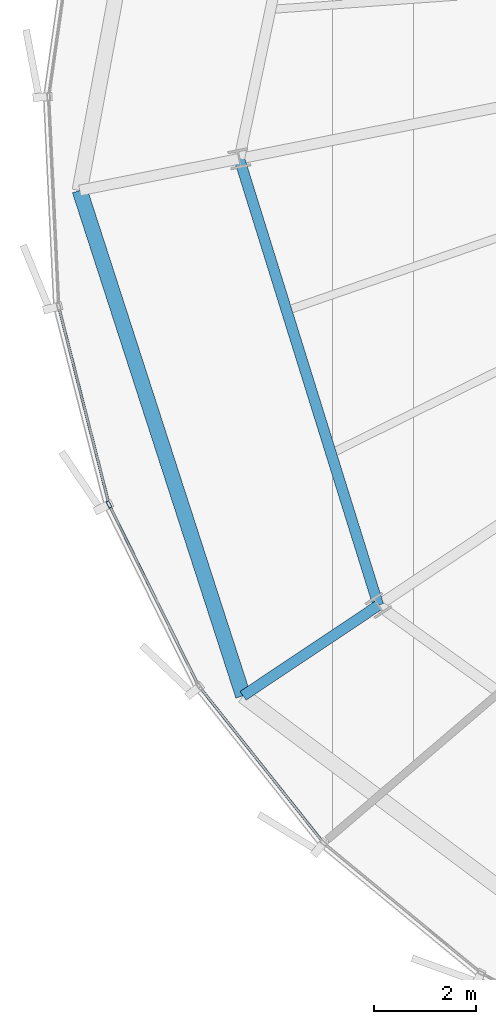
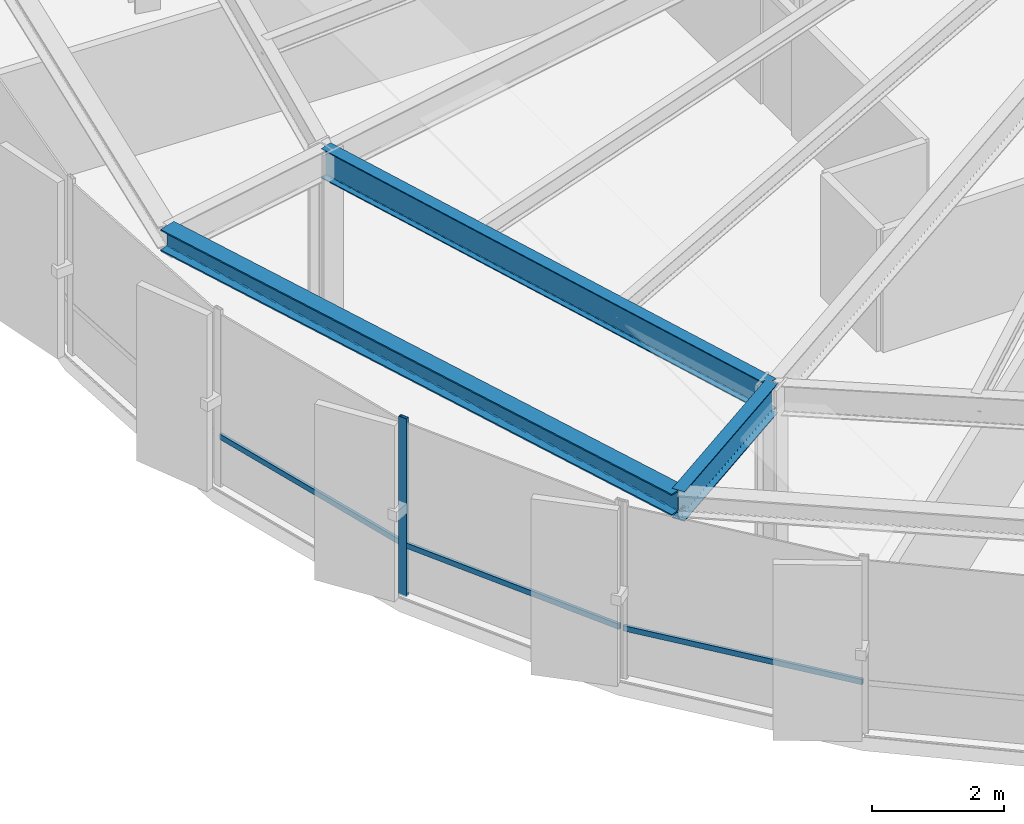
# One storey, part 4 of 36: 4 members, 3 beams, 2 elements without a shape of their own.
"""IFC4 building model written with IfcOpenShell, lengths in metres."""

import ifcopenshell
import ifcopenshell.guid

model = None  # the IFC model being written
_history = None  # IfcOwnerHistory: only IFC2X3 demands one
_inside = {}  # id of a spatial element -> (the spatial element, [elements in it])
_under = {}  # id of a project, library or spatial element -> (it, [spatial elements below it])
_declared = {}  # id of a project -> (the project, [libraries it declares])
_typed = {}  # id of a type object -> (the type object, [elements of that type])
_made_of = {}  # id of a material, layer set ... -> (it, [elements and type objects made of it])


def new_model(schema):
    """Start an empty IFC model of exactly this schema.

    Asked for "IFC4X3", IfcOpenShell would pick the latest addendum, in which some entities
    have other attributes; the version numbers below select the first issue.
    IFC2X3 requires an IfcOwnerHistory on every rooted entity: one is made here for all.
    """
    global model, _history
    if schema == "IFC4X3":
        model = ifcopenshell.file(schema_version=(4, 3, 0, 0))
    else:
        model = ifcopenshell.file(schema=schema)
    _inside.clear()
    _under.clear()
    _declared.clear()
    _typed.clear()
    _made_of.clear()
    _history = None
    if model.schema == "IFC2X3":
        org = make("IfcOrganization", Name="unknown")
        user = make(
            "IfcPersonAndOrganization",
            ThePerson=make("IfcPerson", FamilyName="unknown"),
            TheOrganization=org,
        )
        app = make(
            "IfcApplication",
            ApplicationDeveloper=org,
            Version="unknown",
            ApplicationFullName="unknown",
            ApplicationIdentifier="unknown",
        )
        _history = make(
            "IfcOwnerHistory",
            OwningUser=user,
            OwningApplication=app,
            ChangeAction="ADDED",
            CreationDate=0,
        )
    return model


def make(cls, **values):
    """One entity of the class cls with the attributes given. An attribute that is None is left unset."""
    return model.create_entity(
        cls, **{name: value for name, value in values.items() if value is not None}
    )


def rooted(cls, **values):
    """An entity with a GlobalId (a new one), such as an element, a storey or a relation."""
    return make(cls, GlobalId=ifcopenshell.guid.new(), OwnerHistory=_history, **values)


def si_unit(unit_type, name, prefix=None):
    """IfcSIUnit, for example si_unit("LENGTHUNIT", "METRE", prefix="MILLI")."""
    return make("IfcSIUnit", UnitType=unit_type, Prefix=prefix, Name=name)


def assignment(units):
    """IfcUnitAssignment: the units of a project."""
    return None if units is None else make("IfcUnitAssignment", Units=units)


def point(xyz):
    """IfcCartesianPoint."""
    return None if xyz is None else make("IfcCartesianPoint", Coordinates=xyz)


def direction(xyz):
    """IfcDirection."""
    return None if xyz is None else make("IfcDirection", DirectionRatios=xyz)


def frame(location, z_axis=None, x_axis=None):
    """IfcAxis2Placement3D, a coordinate frame: its origin and axes. An axis left out is left unset."""
    return make(
        "IfcAxis2Placement3D",
        Location=point(location),
        Axis=direction(z_axis),
        RefDirection=direction(x_axis),
    )


def frame_2d(location, x_axis=None):
    """IfcAxis2Placement2D, a coordinate frame in the plane: its origin and x axis."""
    return make(
        "IfcAxis2Placement2D", Location=point(location), RefDirection=direction(x_axis)
    )


def origin():
    """The frame at (0, 0, 0) with its axes left unset."""
    return frame((0.0, 0.0, 0.0))


def origin_2d():
    """The frame at (0, 0) in the plane with its x axis left unset."""
    return frame_2d((0.0, 0.0))


def place(relative_to, where):
    """IfcLocalPlacement: puts the frame where relative to a parent placement (None: the world)."""
    return make(
        "IfcLocalPlacement", PlacementRelTo=relative_to, RelativePlacement=where
    )


def context(
    kind, dimensions, precision=None, world=None, true_north=None, identifier=None
):
    """IfcGeometricRepresentationContext, for example the 3D "Model" context."""
    return make(
        "IfcGeometricRepresentationContext",
        ContextIdentifier=identifier,
        ContextType=kind,
        CoordinateSpaceDimension=dimensions,
        Precision=precision,
        WorldCoordinateSystem=world,
        TrueNorth=true_north,
    )


def subcontext(parent, identifier, kind, view, scale=None):
    """IfcGeometricRepresentationSubContext, for example "Body" below "Model"."""
    return make(
        "IfcGeometricRepresentationSubContext",
        ContextIdentifier=identifier,
        ContextType=kind,
        ParentContext=parent,
        TargetScale=scale,
        TargetView=view,
    )


def project(units=None, contexts=None):
    """IfcProject with its units and contexts."""
    return rooted(
        "IfcProject",
        Name="project",
        RepresentationContexts=contexts,
        UnitsInContext=assignment(units),
    )


def spatial(cls, under=None, at=None, **own):
    """A site, building, storey or space (cls), placed at a placement, below another one or the project."""
    s = rooted(cls, ObjectPlacement=at, **own)
    if under is not None:
        _under.setdefault(under.id(), (under, []))[1].append(s)
    return s


def profile(cls, at=None, kind="AREA", **sizes):
    """A parametric profile (cls). Its sizes go by their IFC names, for example OverallWidth=200.0."""
    return make(cls, ProfileType=kind, Position=at, **sizes)


def hollow_rectangle(**sizes):
    """IfcRectangleHollowProfileDef."""
    return profile("IfcRectangleHollowProfileDef", **sizes)


def i_section(**sizes):
    """IfcIShapeProfileDef."""
    return profile("IfcIShapeProfileDef", **sizes)


def extrude(swept, where, along, depth):
    """IfcExtrudedAreaSolid: the profile swept, set in the frame where, extruded along a direction by depth."""
    return make(
        "IfcExtrudedAreaSolid",
        SweptArea=swept,
        Position=where,
        ExtrudedDirection=direction(along),
        Depth=depth,
    )


def shape(context_of_items, identifier, shape_type, items):
    """IfcShapeRepresentation: the items that make up one representation, for example the "Body"."""
    return make(
        "IfcShapeRepresentation",
        ContextOfItems=context_of_items,
        RepresentationIdentifier=identifier,
        RepresentationType=shape_type,
        Items=items,
    )


def source(mapping_origin, context_of_items, identifier, shape_type, items):
    """IfcRepresentationMap: a shape defined once, which mapped items show again and again."""
    return make(
        "IfcRepresentationMap",
        MappingOrigin=mapping_origin,
        MappedRepresentation=shape(context_of_items, identifier, shape_type, items),
    )


def transform(
    local_origin,
    x_axis=None,
    y_axis=None,
    z_axis=None,
    scale=None,
    scale2=None,
    scale3=None,
    uniform=True,
):
    """IfcCartesianTransformationOperator3D, or its non-uniform kind. x_axis, y_axis, z_axis: its Axis1, 2, 3."""
    if uniform:
        return make(
            "IfcCartesianTransformationOperator3D",
            Axis1=direction(x_axis),
            Axis2=direction(y_axis),
            LocalOrigin=point(local_origin),
            Scale=scale,
            Axis3=direction(z_axis),
        )
    return make(
        "IfcCartesianTransformationOperator3DnonUniform",
        Axis1=direction(x_axis),
        Axis2=direction(y_axis),
        LocalOrigin=point(local_origin),
        Scale=scale,
        Axis3=direction(z_axis),
        Scale2=scale2,
        Scale3=scale3,
    )


def mapped(mapping_source, mapping_target):
    """IfcMappedItem: shows the shape of a source again, moved by a transform."""
    return make(
        "IfcMappedItem", MappingSource=mapping_source, MappingTarget=mapping_target
    )


def material(Name=None, Category=None):
    """IfcMaterial."""
    return make("IfcMaterial", Name=Name, Category=Category)


def layer(
    of_material, thickness, ventilated=None, Name=None, Category=None, Priority=None
):
    """IfcMaterialLayer: one layer of a wall or slab, of a material (None: an air gap)."""
    return make(
        "IfcMaterialLayer",
        Material=of_material,
        LayerThickness=thickness,
        IsVentilated=ventilated,
        Name=Name,
        Category=Category,
        Priority=Priority,
    )


def layer_set(layers, Name=None):
    """IfcMaterialLayerSet."""
    return make("IfcMaterialLayerSet", MaterialLayers=layers, LayerSetName=Name)


def material_profile(
    of_material, cross_section, Name=None, Category=None, Priority=None
):
    """IfcMaterialProfile: a cross section and its material."""
    return make(
        "IfcMaterialProfile",
        Name=Name,
        Material=of_material,
        Profile=cross_section,
        Priority=Priority,
        Category=Category,
    )


def profile_set(profiles, Name=None, composite=None):
    """IfcMaterialProfileSet."""
    return make(
        "IfcMaterialProfileSet",
        Name=Name,
        MaterialProfiles=profiles,
        CompositeProfile=composite,
    )


def made_of(thing, what):
    """Note that an element or type object is made of a material, layer set ...; save() writes the relation."""
    if what is not None:
        _made_of.setdefault(what.id(), (what, []))[1].append(thing)
    return thing


def type_object(cls, material=None, **own):
    """A type object (cls), such as IfcWallType, which elements share."""
    return made_of(rooted(cls, **own), material)


def element(
    cls,
    number,
    at=None,
    inside=None,
    cuts=None,
    type_object=None,
    material=None,
    context=None,
    identifier="Body",
    shape_type=None,
    held_by="IfcProductDefinitionShape",
    body=None,
    shapes=None,
    **own,
):
    """One element of the class cls, such as IfcWall. Its Tag is "e" and its number.

    at: its placement. inside: the storey or other place that contains it. cuts: it is an
    opening in that element (IfcRelVoidsElement). A single representation is given by context,
    identifier, shape_type and body (its items); several are given by shapes. held_by: the class
    of the entity that holds the representations. save() writes the other relations.
    """
    e = rooted(cls, Tag="e%d" % number, ObjectPlacement=at, **own)
    if body is not None:
        shapes = [shape(context, identifier, shape_type, body)]
    if shapes is not None:
        e.Representation = make(held_by, Representations=shapes)
    if inside is not None:
        _inside.setdefault(inside.id(), (inside, []))[1].append(e)
    if cuts is not None:
        rooted(
            "IfcRelVoidsElement", RelatingBuildingElement=cuts, RelatedOpeningElement=e
        )
    if type_object is not None:
        _typed.setdefault(type_object.id(), (type_object, []))[1].append(e)
    return made_of(e, material)


def aggregate(whole, parts):
    """IfcRelAggregates: a whole, such as a stair, and the parts it consists of."""
    return rooted("IfcRelAggregates", RelatingObject=whole, RelatedObjects=parts)


def save(model, path):
    """Write the relations noted so far, then the file.

    IfcRelAggregates (storeys below a building ...), IfcRelContainedInSpatialStructure (elements
    in a storey), IfcRelDefinesByType, IfcRelAssociatesMaterial and IfcRelDeclares: one each for
    every whole, place, type object, material and project.
    """
    for whole, parts in _under.values():
        aggregate(whole, parts)
    for where, things in _inside.values():
        rooted(
            "IfcRelContainedInSpatialStructure",
            RelatedElements=things,
            RelatingStructure=where,
        )
    for kind, things in _typed.values():
        rooted("IfcRelDefinesByType", RelatedObjects=things, RelatingType=kind)
    for what, things in _made_of.values():
        rooted("IfcRelAssociatesMaterial", RelatedObjects=things, RelatingMaterial=what)
    for by, libraries in _declared.values():
        rooted("IfcRelDeclares", RelatingContext=by, RelatedDefinitions=libraries)
    model.write(path)


model = new_model("IFC4")

# Units and contexts
model_context = context("Model", 3, precision=1e-05, world=origin(), true_north=direction((0.0, 1.0)))
body_context = subcontext(model_context, "Body", "Model", "MODEL_VIEW")
ifc_project = project(units=[si_unit("LENGTHUNIT", "METRE"), si_unit("AREAUNIT", "SQUARE_METRE"), si_unit("VOLUMEUNIT", "CUBIC_METRE"), si_unit("PLANEANGLEUNIT", "RADIAN"), si_unit("MASSUNIT", "GRAM", prefix="KILO"), si_unit("THERMODYNAMICTEMPERATUREUNIT", "KELVIN")], contexts=[model_context])

# Site, building, storey
site_placement = place(None, origin())
site = spatial("IfcSite", under=ifc_project, at=site_placement, CompositionType="ELEMENT")
building_placement = place(site_placement, origin())
building = spatial("IfcBuilding", under=site, at=building_placement, Name="Kethvar Cultural Tower", CompositionType="ELEMENT")
storey_placement = place(building_placement, frame((0.0, 0.0, 164.300048828125)))
storey = spatial("IfcBuildingStorey", under=building, at=storey_placement, Name="L42", CompositionType="ELEMENT", Elevation=164.300048828125)

# Beams
ifc_material_1 = material(Name="Steel S355J2", Category="steel")
ifc_material_profile_1 = material_profile(ifc_material_1, i_section(OverallWidth=0.2099609375, OverallDepth=0.550048828125, WebThickness=0.010986328125, FlangeThickness=0.01708984375, FilletRadius=0.02392578125, at=origin_2d()), Name="Steel S355J2 — IPE550")
ifc_profile_set_1 = profile_set([ifc_material_profile_1], Name="Steel S355J2 — IPE550")
beam_type_1 = type_object("IfcBeamType", Name="BM-IPE550", PredefinedType="BEAM", material=ifc_profile_set_1)
shared_shape_1 = source(origin(), body_context, "Body", "SweptSolid", [
    extrude(i_section(OverallWidth=0.2099609375, OverallDepth=0.550048828125, WebThickness=0.010986328125, FlangeThickness=0.01708984375, FilletRadius=0.02392578125, at=origin_2d()), origin(), (0.0, 0.0, 1.0), 3.199951171875),
])
beam_1_placement = place(storey_placement, frame((26.920654296875, 14.51708984375, 3.02294921875), z_axis=(-0.831462943996, -0.555580212716, 0.0), x_axis=(0.555580212716, -0.831462943996, 0.0)))
element("IfcBeam", 1, at=beam_1_placement, inside=storey, type_object=beam_type_1, Name="L42 Perimeter Cantilever Beam RC-10", PredefinedType="BEAM", context=body_context, shape_type="MappedRepresentation", body=[
    mapped(shared_shape_1, transform((0.0, 0.0, 0.0), scale=1.0)),
])
shared_shape_2 = source(origin(), body_context, "Body", "SweptSolid", [
    extrude(i_section(OverallWidth=0.2099609375, OverallDepth=0.550048828125, WebThickness=0.010986328125, FlangeThickness=0.01708984375, FilletRadius=0.02392578125, at=origin_2d()), origin(), (0.0, 0.0, 1.0), 9.20068359375),
])
beam_2_placement = place(storey_placement, frame((24.185302734375, 23.3017578125, 3.02294921875), z_axis=(0.297298800285, -0.954784490526, 0.0), x_axis=(0.954784490526, 0.297298800285, 0.0)))
element("IfcBeam", 2, at=beam_2_placement, inside=storey, type_object=beam_type_1, Name="L42 Column Ring Tie Beam CR-09", PredefinedType="BEAM", context=body_context, shape_type="MappedRepresentation", body=[
    mapped(shared_shape_2, transform((0.0, 0.0, 0.0), scale=1.0)),
])
ifc_material_profile_2 = material_profile(ifc_material_1, i_section(OverallWidth=0.300048828125, OverallDepth=0.39990234375, WebThickness=0.013427734375, FlangeThickness=0.02392578125, FilletRadius=0.027099609375, at=origin_2d()), Name="Steel S355J2 — HEB400")
ifc_profile_set_2 = profile_set([ifc_material_profile_2], Name="Steel S355J2 — HEB400")
beam_type_2 = type_object("IfcBeamType", Name="BM-SP400", PredefinedType="SPANDREL", material=ifc_profile_set_2)
shared_shape_3 = source(origin(), body_context, "Body", "SweptSolid", [
    extrude(i_section(OverallWidth=0.300048828125, OverallDepth=0.39990234375, WebThickness=0.013427734375, FlangeThickness=0.02392578125, FilletRadius=0.027099609375, at=origin_2d()), origin(), (0.0, 0.0, 1.0), 10.44482421875),
])
beam_3_placement = place(storey_placement, frame((21.046875, 22.677490234375, 3.097900390625), z_axis=(0.307631709258, -0.951505507845, 0.0), x_axis=(0.951505507845, 0.307631709258, 0.0)))
element("IfcBeam", 3, at=beam_3_placement, inside=storey, type_object=beam_type_2, Name="L42 Perimeter Spandrel Beam SP-09", PredefinedType="SPANDREL", context=body_context, shape_type="MappedRepresentation", body=[
    mapped(shared_shape_3, transform((0.0, 0.0, 0.0), scale=1.0)),
])

# Curtain wall, members
ifc_material_2 = material(Name="Aluminium 6063-T6", Category="aluminium")
ifc_layer = layer(ifc_material_2, 0.179931640625, Name="Aluminium 6063-T6", Category="aluminium")
ifc_layer_set = layer_set([ifc_layer], Name="Aluminium 6063-T6 (180 mm)")
curtain_wall_type = type_object("IfcCurtainWallType", Name="CW-SYS-04-Z34", PredefinedType="NOTDEFINED", material=ifc_layer_set)
curtain_wall_1_placement = place(storey_placement, origin())
curtain_wall_1 = element("IfcCurtainWall", 4, at=curtain_wall_1_placement, inside=storey, type_object=curtain_wall_type, Name="L42 Curtain Wall Run 03", PredefinedType="NOTDEFINED")
ifc_material_profile_3 = material_profile(ifc_material_2, hollow_rectangle(XDim=0.06005859375, YDim=0.139892578125, WallThickness=0.0048828125, at=origin_2d()), Name="Aluminium 6063-T6 — RHS140x60x5")
ifc_profile_set_3 = profile_set([ifc_material_profile_3], Name="Aluminium 6063-T6 — RHS140x60x5")
member_type_1 = type_object("IfcMemberType", Name="CW-SYS-04-Z34-MUL", PredefinedType="MULLION", material=ifc_profile_set_3)
shared_shape_4 = source(origin(), body_context, "Body", "SweptSolid", [
    extrude(hollow_rectangle(XDim=0.06005859375, YDim=0.139892578125, WallThickness=0.0048828125, at=origin_2d()), origin(), (0.0, 0.0, 1.0), 3.300048828125),
])
member_1_placement = place(storey_placement, frame((21.62158203125, 16.502197265625, 0.0), z_axis=(0.0, 0.0, 1.0), x_axis=(0.896416821864, 0.443212005117, 0.0)))
member_1 = element("IfcMember", 5, at=member_1_placement, type_object=member_type_1, Name="CW-L42-R03 Mullion 6", PredefinedType="MULLION", context=body_context, shape_type="MappedRepresentation", body=[
    mapped(shared_shape_4, transform((0.0, 0.0, 0.0), scale=1.0)),
])
ifc_material_profile_4 = material_profile(ifc_material_2, hollow_rectangle(XDim=0.050048828125, YDim=0.10009765625, WallThickness=0.00390625, at=origin_2d()), Name="Aluminium 6063-T6 — RHS100x50x4")
ifc_profile_set_4 = profile_set([ifc_material_profile_4], Name="Aluminium 6063-T6 — RHS100x50x4")
member_type_2 = type_object("IfcMemberType", Name="CW-SYS-04-Z34-TRN", PredefinedType="USERDEFINED", material=ifc_profile_set_4)
shared_shape_5 = source(origin(), body_context, "Body", "SweptSolid", [
    extrude(hollow_rectangle(XDim=0.050048828125, YDim=0.10009765625, WallThickness=0.00390625, at=origin_2d()), origin(), (0.0, 0.0, 1.0), 3.956787109375),
])
member_2_placement = place(storey_placement, frame((20.6416015625, 20.356689453125, 0.949951171875), z_axis=(0.246990072871, -0.969018010103, 0.0), x_axis=(0.969018010103, 0.246990072871, 0.0)))
member_2 = element("IfcMember", 6, at=member_2_placement, type_object=member_type_2, Name="CW-L42-R03 Transom 5", ObjectType="TRANSOM", PredefinedType="USERDEFINED", context=body_context, shape_type="MappedRepresentation", body=[
    mapped(shared_shape_5, transform((0.0, 0.0, 0.0), scale=1.0)),
])
shared_shape_6 = source(origin(), body_context, "Body", "SweptSolid", [
    extrude(hollow_rectangle(XDim=0.050048828125, YDim=0.10009765625, WallThickness=0.00390625, at=origin_2d()), origin(), (0.0, 0.0, 1.0), 3.900146484375),
])
member_3_placement = place(storey_placement, frame((21.640869140625, 16.46337890625, 0.949951171875), z_axis=(0.443202756524, -0.896421394551, 0.0), x_axis=(0.896421394551, 0.443202756524, 0.0)))
member_3 = element("IfcMember", 7, at=member_3_placement, type_object=member_type_2, Name="CW-L42-R03 Transom 6", ObjectType="TRANSOM", PredefinedType="USERDEFINED", context=body_context, shape_type="MappedRepresentation", body=[
    mapped(shared_shape_6, transform((0.0, 0.0, 0.0), scale=1.0)),
])
aggregate(curtain_wall_1, [member_1, member_2, member_3])

# Curtain wall, member
curtain_wall_2_placement = place(storey_placement, origin())
curtain_wall_2 = element("IfcCurtainWall", 8, at=curtain_wall_2_placement, inside=storey, type_object=curtain_wall_type, Name="L42 Curtain Wall Run 04", PredefinedType="NOTDEFINED")
shared_shape_7 = source(origin(), body_context, "Body", "SweptSolid", [
    extrude(hollow_rectangle(XDim=0.050048828125, YDim=0.10009765625, WallThickness=0.00390625, at=origin_2d()), origin(), (0.0, 0.0, 1.0), 3.899658203125),
])
member_4_placement = place(storey_placement, frame((23.40283203125, 12.91455078125, 0.949951171875), z_axis=(0.622417244753, -0.782685615962, 0.0), x_axis=(0.782685615962, 0.622417244753, 0.0)))
member_4 = element("IfcMember", 9, at=member_4_placement, type_object=member_type_2, Name="CW-L42-R04 Transom 1", ObjectType="TRANSOM", PredefinedType="USERDEFINED", context=body_context, shape_type="MappedRepresentation", body=[
    mapped(shared_shape_7, transform((0.0, 0.0, 0.0), scale=1.0)),
])
aggregate(curtain_wall_2, [member_4])

save(model, "model.ifc")
